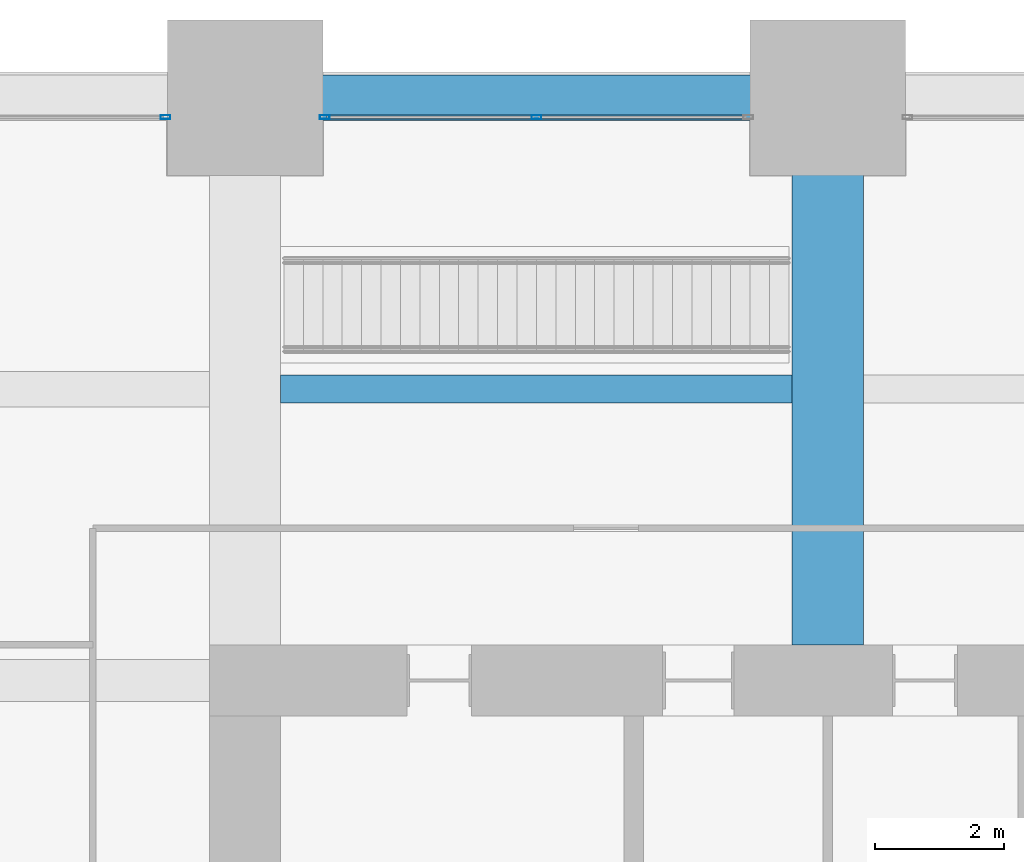
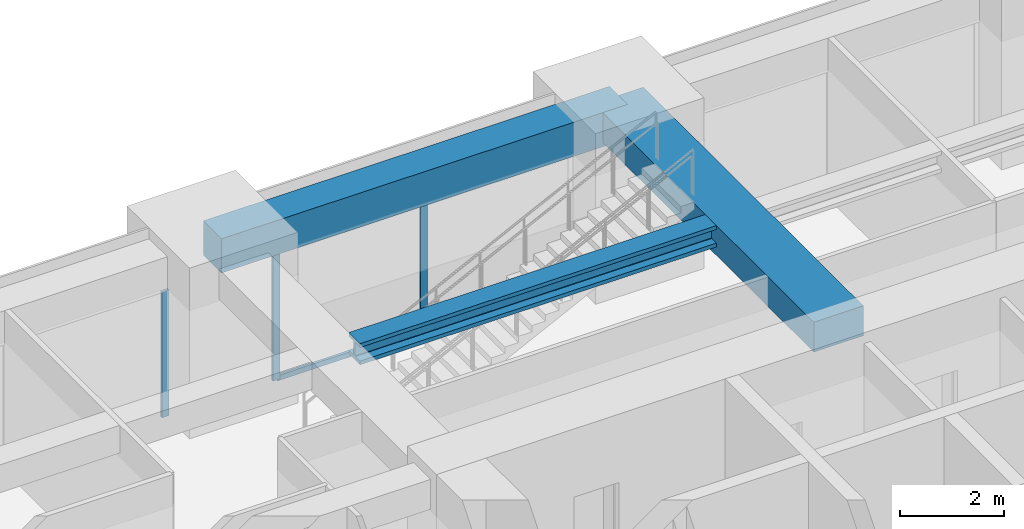
# One storey, part 24 of 33: 4 members, 3 beams, 2 elements without a shape of their own.
"""IFC4 building model written with IfcOpenShell, lengths in metres."""

from ifc_helpers import new_model, si_unit, direction, frame, origin, origin_2d, place, context, subcontext, project, spatial, rectangle, hollow_rectangle, i_section, extrude, material, material_profile, profile_set, type_object, element, aggregate, save


model = new_model("IFC4")

# Units and contexts
model_context = context("Model", 3, precision=1e-05, world=origin(), true_north=direction((0.0, 1.0)))
body_context = subcontext(model_context, "Body", "Model", "MODEL_VIEW")
ifc_project = project(units=[si_unit("LENGTHUNIT", "METRE"), si_unit("AREAUNIT", "SQUARE_METRE"), si_unit("VOLUMEUNIT", "CUBIC_METRE"), si_unit("PLANEANGLEUNIT", "RADIAN"), si_unit("MASSUNIT", "GRAM", prefix="KILO")], contexts=[model_context])

# Site, building, storey
site_placement = place(None, origin())
site = spatial("IfcSite", under=ifc_project, at=site_placement, CompositionType="ELEMENT")
building_placement = place(site_placement, origin())
building = spatial("IfcBuilding", under=site, at=building_placement, Name="Zorevar Civic Tower", CompositionType="ELEMENT")
storey_placement = place(building_placement, frame((0.0, 0.0, 194.199951171875)))
storey = spatial("IfcBuildingStorey", under=building, at=storey_placement, Name="L47", CompositionType="ELEMENT", Elevation=194.199951171875)

# Beam
ifc_material_1 = material(Name="Concrete C50/60", Category="concrete")
ifc_material_profile_1 = material_profile(ifc_material_1, rectangle(XDim=1.10009765625, YDim=0.699951171875, at=origin_2d()), Name="RC 1100x700")
ifc_profile_set_1 = profile_set([ifc_material_profile_1], Name="Concrete C50/60")
beam_type_1 = type_object("IfcBeamType", Name="Beam RC 1100x700", PredefinedType="BEAM", material=ifc_profile_set_1)
beam_1_placement = place(storey_placement, frame((27.0, 36.550048828125, 3.400146484375), z_axis=(0.0, 1.0, 0.0), x_axis=(-1.0, 0.0, 0.0)))
element("IfcBeam", 1, at=beam_1_placement, inside=storey, type_object=beam_type_1, Name="Girder L48", PredefinedType="BEAM", context=body_context, shape_type="SweptSolid", body=[
    extrude(rectangle(XDim=1.10009765625, YDim=0.699951171875, at=origin_2d()), origin(), (0.0, 0.0, 1.0), 8.449951171875),
])

# Curtain wall, member
ifc_material_2 = material(Name="Dark grey solar-control glass in black aluminium frame", Category="aluminium")
curtain_wall_type = type_object("IfcCurtainWallType", Name="Curtain wall CW4 high zone", PredefinedType="NOTDEFINED", material=ifc_material_2)
curtain_wall_1_placement = place(storey_placement, origin())
curtain_wall_1 = element("IfcCurtainWall", 2, at=curtain_wall_1_placement, inside=storey, type_object=curtain_wall_type, Name="CW4 L47", PredefinedType="NOTDEFINED")
ifc_material_3 = material(Name="Aluminium, black anodised", Category="aluminium")
ifc_material_profile_2 = material_profile(ifc_material_3, hollow_rectangle(XDim=0.06005859375, YDim=0.14990234375, WallThickness=0.00390625, at=origin_2d()), Name="AL 150x60x4")
ifc_profile_set_2 = profile_set([ifc_material_profile_2], Name="Aluminium, black anodised")
member_type_1 = type_object("IfcMemberType", Name="CW4 mullion AL 150x60x4", PredefinedType="MULLION", material=ifc_profile_set_2)
member_1_placement = place(storey_placement, frame((16.77001953125, 44.699951171875, 0.0), z_axis=(0.0, 0.0, 1.0), x_axis=(0.0, 1.0, 0.0)))
member_1 = element("IfcMember", 3, at=member_1_placement, type_object=member_type_1, Name="CW4 mullion 3", PredefinedType="MULLION", context=body_context, shape_type="SweptSolid", body=[
    extrude(hollow_rectangle(XDim=0.06005859375, YDim=0.14990234375, WallThickness=0.00390625, at=origin_2d()), origin(), (0.0, 0.0, 1.0), 2.949951171875),
])
aggregate(curtain_wall_1, [member_1])

# Curtain wall, members
curtain_wall_2_placement = place(storey_placement, origin())
curtain_wall_2 = element("IfcCurtainWall", 4, at=curtain_wall_2_placement, inside=storey, type_object=curtain_wall_type, Name="CW4 L47", PredefinedType="NOTDEFINED")
member_2_placement = place(storey_placement, frame((19.22998046875, 44.699951171875, 0.0), z_axis=(0.0, 0.0, 1.0), x_axis=(0.0, 1.0, 0.0)))
member_2 = element("IfcMember", 5, at=member_2_placement, type_object=member_type_1, Name="CW4 mullion 1", PredefinedType="MULLION", context=body_context, shape_type="SweptSolid", body=[
    extrude(hollow_rectangle(XDim=0.06005859375, YDim=0.14990234375, WallThickness=0.00390625, at=origin_2d()), origin(), (0.0, 0.0, 1.0), 2.949951171875),
])
member_3_placement = place(storey_placement, frame((22.5, 44.699951171875, 0.06005859375), z_axis=(0.0, 0.0, 1.0), x_axis=(0.0, 1.0, 0.0)))
member_3 = element("IfcMember", 6, at=member_3_placement, type_object=member_type_1, Name="CW4 mullion 2", PredefinedType="MULLION", context=body_context, shape_type="SweptSolid", body=[
    extrude(hollow_rectangle(XDim=0.06005859375, YDim=0.14990234375, WallThickness=0.00390625, at=origin_2d()), origin(), (0.0, 0.0, 1.0), 2.889892578125),
])
ifc_material_4 = material(Name="Aluminium, black anodised", Category="aluminium")
ifc_material_profile_3 = material_profile(ifc_material_4, hollow_rectangle(XDim=0.06005859375, YDim=0.1201171875, WallThickness=0.0029296875, at=origin_2d()), Name="AL 120x60x3")
ifc_profile_set_3 = profile_set([ifc_material_profile_3], Name="Aluminium, black anodised")
member_type_2 = type_object("IfcMemberType", Name="CW4 transom AL 120x60x3", PredefinedType="USERDEFINED", material=ifc_profile_set_3)
member_4_placement = place(storey_placement, frame((19.260009765625, 44.699951171875, 0.030029296875), z_axis=(1.0, 0.0, 0.0), x_axis=(0.0, 1.0, 0.0)))
member_4 = element("IfcMember", 7, at=member_4_placement, type_object=member_type_2, Name="CW4 sill transom", ObjectType="TRANSOM", PredefinedType="USERDEFINED", context=body_context, shape_type="SweptSolid", body=[
    extrude(hollow_rectangle(XDim=0.06005859375, YDim=0.1201171875, WallThickness=0.0029296875, at=origin_2d()), origin(), (0.0, 0.0, 1.0), 6.47998046875),
])
aggregate(curtain_wall_2, [member_2, member_3, member_4])

# Beams
ifc_material_5 = material(Name="Steel S460M (HISTAR 460)", Category="steel")
ifc_material_profile_4 = material_profile(ifc_material_5, i_section(OverallWidth=0.431884765625, OverallDepth=0.498046875, WebThickness=0.0556640625, FlangeThickness=0.0888671875, FilletRadius=0.014892578125, at=origin_2d()), Name="HD 400x744")
ifc_profile_set_4 = profile_set([ifc_material_profile_4], Name="Steel S460M (HISTAR 460)")
beam_type_2 = type_object("IfcBeamType", Name="Core bay beam HD 400x744", PredefinedType="BEAM", material=ifc_profile_set_4)
beam_2_placement = place(storey_placement, frame((18.550048828125, 40.5, 3.5009765625), z_axis=(1.0, 0.0, 0.0), x_axis=(0.0, 1.0, 0.0)))
element("IfcBeam", 8, at=beam_2_placement, inside=storey, type_object=beam_type_2, Name="Secondary beam L48", PredefinedType="BEAM", context=body_context, shape_type="SweptSolid", body=[
    extrude(i_section(OverallWidth=0.431884765625, OverallDepth=0.498046875, WebThickness=0.0556640625, FlangeThickness=0.0888671875, FilletRadius=0.014892578125, at=origin_2d()), origin(), (0.0, 0.0, 1.0), 7.89990234375),
])
ifc_material_6 = material(Name="Concrete C50/60", Category="concrete")
ifc_material_profile_5 = material_profile(ifc_material_6, rectangle(XDim=0.699951171875, YDim=0.800048828125, at=origin_2d()), Name="RC 700x800")
ifc_profile_set_5 = profile_set([ifc_material_profile_5], Name="Concrete C50/60")
beam_type_3 = type_object("IfcBeamType", Name="Edge beam RC 700x800", PredefinedType="SPANDREL", material=ifc_profile_set_5)
beam_3_placement = place(storey_placement, frame((18.0, 45.0, 3.35009765625), z_axis=(1.0, 0.0, 0.0), x_axis=(0.0, 1.0, 0.0)))
element("IfcBeam", 9, at=beam_3_placement, inside=storey, type_object=beam_type_3, Name="Edge beam L48", PredefinedType="SPANDREL", context=body_context, shape_type="SweptSolid", body=[
    extrude(rectangle(XDim=0.699951171875, YDim=0.800048828125, at=origin_2d()), origin(), (0.0, 0.0, 1.0), 9.0),
])

save(model, "model.ifc")
